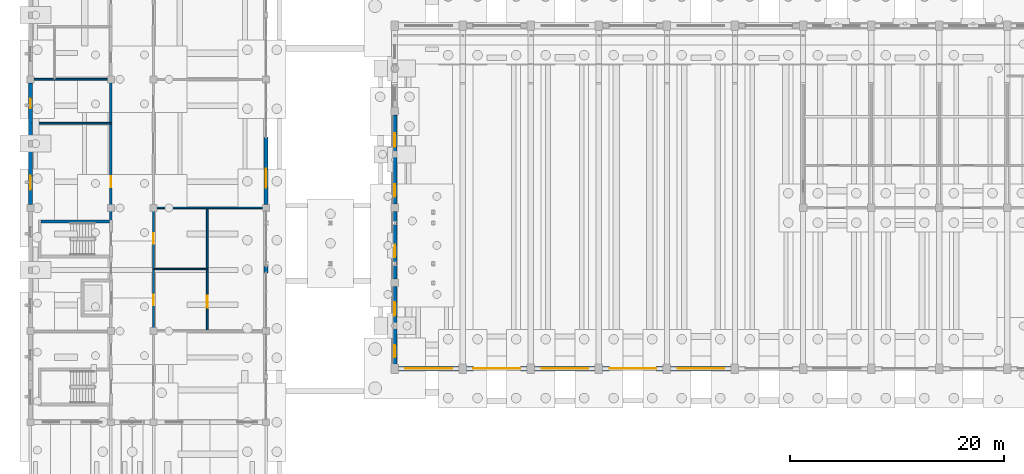
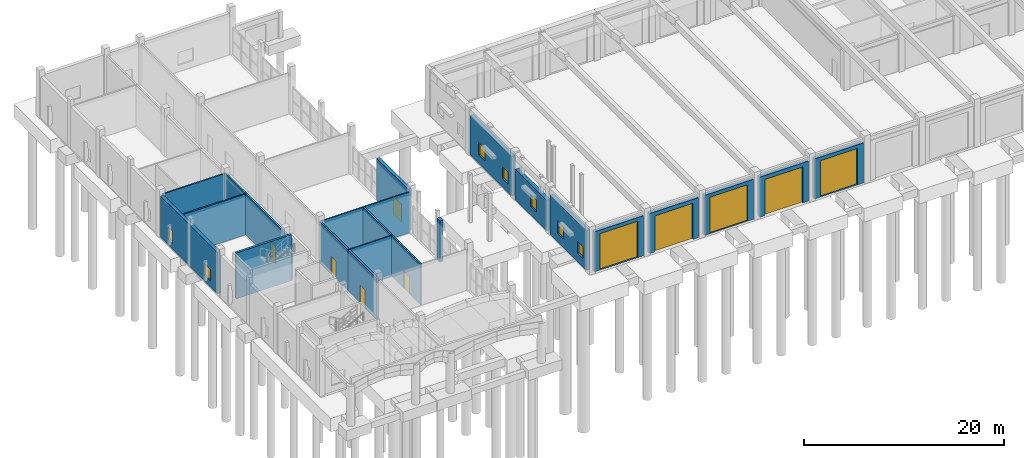
# One storey, part 35 of 60: 20 walls, 10 doors, 7 windows, 17 openings.
"""IFC4 building model written with IfcOpenShell, lengths in metres."""

import ifcopenshell
import ifcopenshell.guid

model = None  # the IFC model being written
_history = None  # IfcOwnerHistory: only IFC2X3 demands one
_inside = {}  # id of a spatial element -> (the spatial element, [elements in it])
_under = {}  # id of a project, library or spatial element -> (it, [spatial elements below it])
_declared = {}  # id of a project -> (the project, [libraries it declares])
_typed = {}  # id of a type object -> (the type object, [elements of that type])
_made_of = {}  # id of a material, layer set ... -> (it, [elements and type objects made of it])


def new_model(schema):
    """Start an empty IFC model of exactly this schema.

    Asked for "IFC4X3", IfcOpenShell would pick the latest addendum, in which some entities
    have other attributes; the version numbers below select the first issue.
    IFC2X3 requires an IfcOwnerHistory on every rooted entity: one is made here for all.
    """
    global model, _history
    if schema == "IFC4X3":
        model = ifcopenshell.file(schema_version=(4, 3, 0, 0))
    else:
        model = ifcopenshell.file(schema=schema)
    _inside.clear()
    _under.clear()
    _declared.clear()
    _typed.clear()
    _made_of.clear()
    _history = None
    if model.schema == "IFC2X3":
        org = make("IfcOrganization", Name="unknown")
        user = make(
            "IfcPersonAndOrganization",
            ThePerson=make("IfcPerson", FamilyName="unknown"),
            TheOrganization=org,
        )
        app = make(
            "IfcApplication",
            ApplicationDeveloper=org,
            Version="unknown",
            ApplicationFullName="unknown",
            ApplicationIdentifier="unknown",
        )
        _history = make(
            "IfcOwnerHistory",
            OwningUser=user,
            OwningApplication=app,
            ChangeAction="ADDED",
            CreationDate=0,
        )
    return model


def make(cls, **values):
    """One entity of the class cls with the attributes given. An attribute that is None is left unset."""
    return model.create_entity(
        cls, **{name: value for name, value in values.items() if value is not None}
    )


def rooted(cls, **values):
    """An entity with a GlobalId (a new one), such as an element, a storey or a relation."""
    return make(cls, GlobalId=ifcopenshell.guid.new(), OwnerHistory=_history, **values)


def si_unit(unit_type, name, prefix=None):
    """IfcSIUnit, for example si_unit("LENGTHUNIT", "METRE", prefix="MILLI")."""
    return make("IfcSIUnit", UnitType=unit_type, Prefix=prefix, Name=name)


def assignment(units):
    """IfcUnitAssignment: the units of a project."""
    return None if units is None else make("IfcUnitAssignment", Units=units)


def point(xyz):
    """IfcCartesianPoint."""
    return None if xyz is None else make("IfcCartesianPoint", Coordinates=xyz)


def direction(xyz):
    """IfcDirection."""
    return None if xyz is None else make("IfcDirection", DirectionRatios=xyz)


def frame(location, z_axis=None, x_axis=None):
    """IfcAxis2Placement3D, a coordinate frame: its origin and axes. An axis left out is left unset."""
    return make(
        "IfcAxis2Placement3D",
        Location=point(location),
        Axis=direction(z_axis),
        RefDirection=direction(x_axis),
    )


def frame_2d(location, x_axis=None):
    """IfcAxis2Placement2D, a coordinate frame in the plane: its origin and x axis."""
    return make(
        "IfcAxis2Placement2D", Location=point(location), RefDirection=direction(x_axis)
    )


def origin():
    """The frame at (0, 0, 0) with its axes left unset."""
    return frame((0.0, 0.0, 0.0))


def place(relative_to, where):
    """IfcLocalPlacement: puts the frame where relative to a parent placement (None: the world)."""
    return make(
        "IfcLocalPlacement", PlacementRelTo=relative_to, RelativePlacement=where
    )


def context(
    kind, dimensions, precision=None, world=None, true_north=None, identifier=None
):
    """IfcGeometricRepresentationContext, for example the 3D "Model" context."""
    return make(
        "IfcGeometricRepresentationContext",
        ContextIdentifier=identifier,
        ContextType=kind,
        CoordinateSpaceDimension=dimensions,
        Precision=precision,
        WorldCoordinateSystem=world,
        TrueNorth=true_north,
    )


def subcontext(parent, identifier, kind, view, scale=None):
    """IfcGeometricRepresentationSubContext, for example "Body" below "Model"."""
    return make(
        "IfcGeometricRepresentationSubContext",
        ContextIdentifier=identifier,
        ContextType=kind,
        ParentContext=parent,
        TargetScale=scale,
        TargetView=view,
    )


def project(units=None, contexts=None):
    """IfcProject with its units and contexts."""
    return rooted(
        "IfcProject",
        Name="project",
        RepresentationContexts=contexts,
        UnitsInContext=assignment(units),
    )


def spatial(cls, under=None, at=None, **own):
    """A site, building, storey or space (cls), placed at a placement, below another one or the project."""
    s = rooted(cls, ObjectPlacement=at, **own)
    if under is not None:
        _under.setdefault(under.id(), (under, []))[1].append(s)
    return s


def profile(cls, at=None, kind="AREA", **sizes):
    """A parametric profile (cls). Its sizes go by their IFC names, for example OverallWidth=200.0."""
    return make(cls, ProfileType=kind, Position=at, **sizes)


def rectangle(**sizes):
    """IfcRectangleProfileDef."""
    return profile("IfcRectangleProfileDef", **sizes)


def extrude(swept, where, along, depth):
    """IfcExtrudedAreaSolid: the profile swept, set in the frame where, extruded along a direction by depth."""
    return make(
        "IfcExtrudedAreaSolid",
        SweptArea=swept,
        Position=where,
        ExtrudedDirection=direction(along),
        Depth=depth,
    )


def shape(context_of_items, identifier, shape_type, items):
    """IfcShapeRepresentation: the items that make up one representation, for example the "Body"."""
    return make(
        "IfcShapeRepresentation",
        ContextOfItems=context_of_items,
        RepresentationIdentifier=identifier,
        RepresentationType=shape_type,
        Items=items,
    )


def material(Name=None, Category=None):
    """IfcMaterial."""
    return make("IfcMaterial", Name=Name, Category=Category)


def layer(
    of_material, thickness, ventilated=None, Name=None, Category=None, Priority=None
):
    """IfcMaterialLayer: one layer of a wall or slab, of a material (None: an air gap)."""
    return make(
        "IfcMaterialLayer",
        Material=of_material,
        LayerThickness=thickness,
        IsVentilated=ventilated,
        Name=Name,
        Category=Category,
        Priority=Priority,
    )


def layer_set(layers, Name=None):
    """IfcMaterialLayerSet."""
    return make("IfcMaterialLayerSet", MaterialLayers=layers, LayerSetName=Name)


def made_of(thing, what):
    """Note that an element or type object is made of a material, layer set ...; save() writes the relation."""
    if what is not None:
        _made_of.setdefault(what.id(), (what, []))[1].append(thing)
    return thing


def type_object(cls, material=None, **own):
    """A type object (cls), such as IfcWallType, which elements share."""
    return made_of(rooted(cls, **own), material)


def element(
    cls,
    number,
    at=None,
    inside=None,
    cuts=None,
    type_object=None,
    material=None,
    context=None,
    identifier="Body",
    shape_type=None,
    held_by="IfcProductDefinitionShape",
    body=None,
    shapes=None,
    **own,
):
    """One element of the class cls, such as IfcWall. Its Tag is "e" and its number.

    at: its placement. inside: the storey or other place that contains it. cuts: it is an
    opening in that element (IfcRelVoidsElement). A single representation is given by context,
    identifier, shape_type and body (its items); several are given by shapes. held_by: the class
    of the entity that holds the representations. save() writes the other relations.
    """
    e = rooted(cls, Tag="e%d" % number, ObjectPlacement=at, **own)
    if body is not None:
        shapes = [shape(context, identifier, shape_type, body)]
    if shapes is not None:
        e.Representation = make(held_by, Representations=shapes)
    if inside is not None:
        _inside.setdefault(inside.id(), (inside, []))[1].append(e)
    if cuts is not None:
        rooted(
            "IfcRelVoidsElement", RelatingBuildingElement=cuts, RelatedOpeningElement=e
        )
    if type_object is not None:
        _typed.setdefault(type_object.id(), (type_object, []))[1].append(e)
    return made_of(e, material)


def fill(opening, filler):
    """IfcRelFillsElement: the door or window that sits in an opening."""
    return rooted(
        "IfcRelFillsElement",
        RelatingOpeningElement=opening,
        RelatedBuildingElement=filler,
    )


def aggregate(whole, parts):
    """IfcRelAggregates: a whole, such as a stair, and the parts it consists of."""
    return rooted("IfcRelAggregates", RelatingObject=whole, RelatedObjects=parts)


def save(model, path):
    """Write the relations noted so far, then the file.

    IfcRelAggregates (storeys below a building ...), IfcRelContainedInSpatialStructure (elements
    in a storey), IfcRelDefinesByType, IfcRelAssociatesMaterial and IfcRelDeclares: one each for
    every whole, place, type object, material and project.
    """
    for whole, parts in _under.values():
        aggregate(whole, parts)
    for where, things in _inside.values():
        rooted(
            "IfcRelContainedInSpatialStructure",
            RelatedElements=things,
            RelatingStructure=where,
        )
    for kind, things in _typed.values():
        rooted("IfcRelDefinesByType", RelatedObjects=things, RelatingType=kind)
    for what, things in _made_of.values():
        rooted("IfcRelAssociatesMaterial", RelatedObjects=things, RelatingMaterial=what)
    for by, libraries in _declared.values():
        rooted("IfcRelDeclares", RelatingContext=by, RelatedDefinitions=libraries)
    model.write(path)


model = new_model("IFC4")

# Units and contexts
model_context = context("Model", 3, precision=1e-05, world=origin(), true_north=direction((0.0, 1.0)))
body_context = subcontext(model_context, "Body", "Model", "MODEL_VIEW")
ifc_project = project(units=[si_unit("LENGTHUNIT", "METRE"), si_unit("AREAUNIT", "SQUARE_METRE"), si_unit("VOLUMEUNIT", "CUBIC_METRE"), si_unit("PLANEANGLEUNIT", "RADIAN"), si_unit("MASSUNIT", "GRAM", prefix="KILO")], contexts=[model_context])

# Site, building, storey
site_placement = place(None, origin())
site = spatial("IfcSite", under=ifc_project, at=site_placement, CompositionType="ELEMENT")
building_placement = place(site_placement, origin())
building = spatial("IfcBuilding", under=site, at=building_placement, Name="Trellovar Central Fire Station", CompositionType="ELEMENT")
storey_placement = place(building_placement, origin())
storey = spatial("IfcBuildingStorey", under=building, at=storey_placement, Name="L01", CompositionType="ELEMENT", Elevation=0.0)

# Wall, opening, door
ifc_material_1 = material(Name="Catalan polychrome brickwork with insulated cavity", Category="masonry")
ifc_layer_1 = layer(ifc_material_1, 0.419921875)
ifc_layer_set_1 = layer_set([ifc_layer_1], Name="Catalan polychrome brickwork with insulated cavity")
wall_type_1 = type_object("IfcWallType", Name="EW-1", PredefinedType="STANDARD", material=ifc_layer_set_1)
wall_1_placement = place(storey_placement, frame((35.35009765625, 14.0, 0.0), z_axis=(0.0, 0.0, 1.0), x_axis=(1.0, 0.0, 0.0)))
wall_1 = element("IfcWall", 1, at=wall_1_placement, inside=storey, type_object=wall_type_1, Name="V1 south engine portal masonry bay 1", PredefinedType="STANDARD", context=body_context, shape_type="SweptSolid", body=[
    extrude(rectangle(XDim=5.64990234375, YDim=0.419921875, at=frame_2d((2.824951171875, 0.0))), origin(), (0.0, 0.0, 1.0), 4.8798828125),
])
opening_1_placement = place(wall_1_placement, frame((0.625, 0.0, 0.0)))
opening_1 = element("IfcOpeningElement", 2, at=opening_1_placement, cuts=wall_1, Name="Opening BD-1", PredefinedType="OPENING", context=body_context, shape_type="SweptSolid", body=[
    extrude(rectangle(XDim=4.39990234375, YDim=4.449951171875, at=frame_2d((2.199951171875, 2.22509765625))), frame((0.0, 0.219970703125, 0.0), z_axis=(0.0, -1.0, 0.0), x_axis=(1.0, 0.0, 0.0)), (0.0, 0.0, 1.0), 0.43994140625),
])
ifc_material_2 = material(Name="Glazed terracotta-orange insulated steel roller shutter", Category="masonry")
door_type_1 = type_object("IfcDoorType", Name="DR-BAY1", OperationType="ROLLINGUP", PredefinedType="DOOR", material=ifc_material_2)
door_1_placement = place(opening_1_placement, origin())
door_1 = element("IfcDoor", 3, at=door_1_placement, inside=storey, type_object=door_type_1, Name="South boulevard apparatus bay 1 door", OperationType="ROLLINGUP", OverallHeight=4.449951171875, OverallWidth=4.39990234375, PredefinedType="DOOR", context=body_context, shape_type="SweptSolid", body=[
    extrude(rectangle(XDim=4.39990234375, YDim=4.449951171875, at=frame_2d((2.199951171875, 2.22509765625))), frame((0.0, 0.02490234375, 0.0), z_axis=(0.0, -1.0, 0.0), x_axis=(1.0, 0.0, 0.0)), (0.0, 0.0, 1.0), 0.050048828125),
])
fill(opening_1, door_1)

wall_2_placement = place(storey_placement, frame((41.699951171875, 14.0, 0.0), z_axis=(0.0, 0.0, 1.0), x_axis=(1.0, 0.0, 0.0)))
wall_2 = element("IfcWall", 4, at=wall_2_placement, inside=storey, type_object=wall_type_1, Name="V1 south engine portal masonry bay 2", PredefinedType="STANDARD", context=body_context, shape_type="SweptSolid", body=[
    extrude(rectangle(XDim=5.650146484375, YDim=0.419921875, at=frame_2d((2.8251953125, 0.0))), origin(), (0.0, 0.0, 1.0), 4.8798828125),
])
opening_2_placement = place(wall_2_placement, frame((0.625, 0.0, 0.0)))
opening_2 = element("IfcOpeningElement", 5, at=opening_2_placement, cuts=wall_2, Name="Opening BD-2", PredefinedType="OPENING", context=body_context, shape_type="SweptSolid", body=[
    extrude(rectangle(XDim=4.39990234375, YDim=4.39990234375, at=frame_2d((2.199951171875, 2.199951171875))), frame((0.0, 0.219970703125, 0.0), z_axis=(0.0, -1.0, 0.0), x_axis=(1.0, 0.0, 0.0)), (0.0, 0.0, 1.0), 0.43994140625),
])
ifc_material_3 = material(Name="Glazed terracotta-orange insulated steel roller shutter", Category="masonry")
door_type_2 = type_object("IfcDoorType", Name="DR-BAY2", OperationType="ROLLINGUP", PredefinedType="DOOR", material=ifc_material_3)
door_2_placement = place(opening_2_placement, origin())
door_2 = element("IfcDoor", 6, at=door_2_placement, inside=storey, type_object=door_type_2, Name="South boulevard apparatus bay 2 door", OperationType="ROLLINGUP", OverallHeight=4.39990234375, OverallWidth=4.39990234375, PredefinedType="DOOR", context=body_context, shape_type="SweptSolid", body=[
    extrude(rectangle(XDim=4.39990234375, YDim=4.39990234375, at=frame_2d((2.199951171875, 2.199951171875))), frame((0.0, 0.02490234375, 0.0), z_axis=(0.0, -1.0, 0.0), x_axis=(1.0, 0.0, 0.0)), (0.0, 0.0, 1.0), 0.050048828125),
])
fill(opening_2, door_2)

wall_3_placement = place(storey_placement, frame((48.050048828125, 14.0, 0.0), z_axis=(0.0, 0.0, 1.0), x_axis=(1.0, 0.0, 0.0)))
wall_3 = element("IfcWall", 7, at=wall_3_placement, inside=storey, type_object=wall_type_1, Name="V1 south engine portal masonry bay 3", PredefinedType="STANDARD", context=body_context, shape_type="SweptSolid", body=[
    extrude(rectangle(XDim=5.64990234375, YDim=0.419921875, at=frame_2d((2.824951171875, 0.0))), origin(), (0.0, 0.0, 1.0), 4.8798828125),
])
opening_3_placement = place(wall_3_placement, frame((0.64990234375, 0.0, 0.0)))
opening_3 = element("IfcOpeningElement", 8, at=opening_3_placement, cuts=wall_3, Name="Opening BD-3", PredefinedType="OPENING", context=body_context, shape_type="SweptSolid", body=[
    extrude(rectangle(XDim=4.35009765625, YDim=4.449951171875, at=frame_2d((2.175048828125, 2.22509765625))), frame((0.0, 0.219970703125, 0.0), z_axis=(0.0, -1.0, 0.0), x_axis=(1.0, 0.0, 0.0)), (0.0, 0.0, 1.0), 0.43994140625),
])
ifc_material_4 = material(Name="Glazed terracotta-orange insulated steel roller shutter", Category="masonry")
door_type_3 = type_object("IfcDoorType", Name="DR-BAY3", OperationType="ROLLINGUP", PredefinedType="DOOR", material=ifc_material_4)
door_3_placement = place(opening_3_placement, origin())
door_3 = element("IfcDoor", 9, at=door_3_placement, inside=storey, type_object=door_type_3, Name="South boulevard apparatus bay 3 door", OperationType="ROLLINGUP", OverallHeight=4.449951171875, OverallWidth=4.35009765625, PredefinedType="DOOR", context=body_context, shape_type="SweptSolid", body=[
    extrude(rectangle(XDim=4.35009765625, YDim=4.449951171875, at=frame_2d((2.175048828125, 2.22509765625))), frame((0.0, 0.02490234375, 0.0), z_axis=(0.0, -1.0, 0.0), x_axis=(1.0, 0.0, 0.0)), (0.0, 0.0, 1.0), 0.050048828125),
])
fill(opening_3, door_3)

wall_4_placement = place(storey_placement, frame((54.39990234375, 14.0, 0.0), z_axis=(0.0, 0.0, 1.0), x_axis=(1.0, 0.0, 0.0)))
wall_4 = element("IfcWall", 10, at=wall_4_placement, inside=storey, type_object=wall_type_1, Name="V1 south engine portal masonry bay 4", PredefinedType="STANDARD", context=body_context, shape_type="SweptSolid", body=[
    extrude(rectangle(XDim=5.650146484375, YDim=0.419921875, at=frame_2d((2.8251953125, 0.0))), origin(), (0.0, 0.0, 1.0), 4.8798828125),
])
opening_4_placement = place(wall_4_placement, frame((0.64990234375, 0.0, 0.0)))
opening_4 = element("IfcOpeningElement", 11, at=opening_4_placement, cuts=wall_4, Name="Opening BD-4", PredefinedType="OPENING", context=body_context, shape_type="SweptSolid", body=[
    extrude(rectangle(XDim=4.35009765625, YDim=4.39990234375, at=frame_2d((2.175048828125, 2.199951171875))), frame((0.0, 0.219970703125, 0.0), z_axis=(0.0, -1.0, 0.0), x_axis=(1.0, 0.0, 0.0)), (0.0, 0.0, 1.0), 0.43994140625),
])
ifc_material_5 = material(Name="Glazed terracotta-orange insulated steel roller shutter", Category="masonry")
door_type_4 = type_object("IfcDoorType", Name="DR-BAY4", OperationType="ROLLINGUP", PredefinedType="DOOR", material=ifc_material_5)
door_4_placement = place(opening_4_placement, origin())
door_4 = element("IfcDoor", 12, at=door_4_placement, inside=storey, type_object=door_type_4, Name="South boulevard apparatus bay 4 door", OperationType="ROLLINGUP", OverallHeight=4.39990234375, OverallWidth=4.35009765625, PredefinedType="DOOR", context=body_context, shape_type="SweptSolid", body=[
    extrude(rectangle(XDim=4.35009765625, YDim=4.39990234375, at=frame_2d((2.175048828125, 2.199951171875))), frame((0.0, 0.02490234375, 0.0), z_axis=(0.0, -1.0, 0.0), x_axis=(1.0, 0.0, 0.0)), (0.0, 0.0, 1.0), 0.050048828125),
])
fill(opening_4, door_4)

wall_5_placement = place(storey_placement, frame((60.75, 14.0, 0.0), z_axis=(0.0, 0.0, 1.0), x_axis=(1.0, 0.0, 0.0)))
wall_5 = element("IfcWall", 13, at=wall_5_placement, inside=storey, type_object=wall_type_1, Name="V1 south engine portal masonry bay 5", PredefinedType="STANDARD", context=body_context, shape_type="SweptSolid", body=[
    extrude(rectangle(XDim=5.64990234375, YDim=0.419921875, at=frame_2d((2.824951171875, 0.0))), origin(), (0.0, 0.0, 1.0), 4.8798828125),
])
opening_5_placement = place(wall_5_placement, frame((0.675048828125, 0.0, 0.0)))
opening_5 = element("IfcOpeningElement", 14, at=opening_5_placement, cuts=wall_5, Name="Opening BD-5", PredefinedType="OPENING", context=body_context, shape_type="SweptSolid", body=[
    extrude(rectangle(XDim=4.300048828125, YDim=4.449951171875, at=frame_2d((2.14990234375, 2.22509765625))), frame((0.0, 0.219970703125, 0.0), z_axis=(0.0, -1.0, 0.0), x_axis=(1.0, 0.0, 0.0)), (0.0, 0.0, 1.0), 0.43994140625),
])
ifc_material_6 = material(Name="Glazed terracotta-orange insulated steel roller shutter", Category="masonry")
door_type_5 = type_object("IfcDoorType", Name="DR-BAY5", OperationType="ROLLINGUP", PredefinedType="DOOR", material=ifc_material_6)
door_5_placement = place(opening_5_placement, origin())
door_5 = element("IfcDoor", 15, at=door_5_placement, inside=storey, type_object=door_type_5, Name="South boulevard apparatus bay 5 door", OperationType="ROLLINGUP", OverallHeight=4.449951171875, OverallWidth=4.300048828125, PredefinedType="DOOR", context=body_context, shape_type="SweptSolid", body=[
    extrude(rectangle(XDim=4.300048828125, YDim=4.449951171875, at=frame_2d((2.14990234375, 2.22509765625))), frame((0.0, 0.02490234375, 0.0), z_axis=(0.0, -1.0, 0.0), x_axis=(1.0, 0.0, 0.0)), (0.0, 0.0, 1.0), 0.050048828125),
])
fill(opening_5, door_5)

# Wall, openings, windows
wall_6_placement = place(storey_placement, frame((35.0, 14.39990234375, 0.0), z_axis=(0.0, 0.0, 1.0), x_axis=(0.0, 1.0, 0.0)))
wall_6 = element("IfcWall", 16, at=wall_6_placement, inside=storey, type_object=wall_type_1, Name="V1 W gable lower wall 1", PredefinedType="STANDARD", context=body_context, shape_type="SweptSolid", body=[
    extrude(rectangle(XDim=7.25, YDim=0.419921875, at=frame_2d((3.625, 0.0))), origin(), (0.0, 0.0, 1.0), 4.840087890625),
])
opening_6_placement = place(wall_6_placement, frame((0.64990234375, 0.0, 1.050048828125)))
opening_6 = element("IfcOpeningElement", 17, at=opening_6_placement, cuts=wall_6, Name="Opening W-01", PredefinedType="OPENING", context=body_context, shape_type="SweptSolid", body=[
    extrude(rectangle(XDim=1.14990234375, YDim=1.449951171875, at=frame_2d((0.574951171875, 0.72509765625))), frame((0.0, 0.219970703125, 0.0), z_axis=(0.0, -1.0, 0.0), x_axis=(1.0, 0.0, 0.0)), (0.0, 0.0, 1.0), 0.43994140625),
])
opening_7_placement = place(wall_6_placement, frame((4.550048828125, 0.0, 1.050048828125)))
opening_7 = element("IfcOpeningElement", 18, at=opening_7_placement, cuts=wall_6, Name="Opening W-14", PredefinedType="OPENING", context=body_context, shape_type="SweptSolid", body=[
    extrude(rectangle(XDim=1.25, YDim=1.5, at=frame_2d((0.625, 0.75))), frame((0.0, 0.219970703125, 0.0), z_axis=(0.0, -1.0, 0.0), x_axis=(1.0, 0.0, 0.0)), (0.0, 0.0, 1.0), 0.43994140625),
])
ifc_material_7 = material(Name="Thermally broken bronze anodized aluminum", Category="aluminium")
window_type_1 = type_object("IfcWindowType", Name="WIN-01", PartitioningType="SINGLE_PANEL", PredefinedType="WINDOW", material=ifc_material_7)
window_1_placement = place(opening_6_placement, origin())
window_1 = element("IfcWindow", 19, at=window_1_placement, inside=storey, type_object=window_type_1, Name="L01 window W-01", OverallHeight=1.449951171875, OverallWidth=1.14990234375, PartitioningType="SINGLE_PANEL", PredefinedType="WINDOW", context=body_context, shape_type="SweptSolid", body=[
    extrude(rectangle(XDim=1.14990234375, YDim=1.449951171875, at=frame_2d((0.574951171875, 0.72509765625))), frame((0.0, 0.030029296875, 0.0), z_axis=(0.0, -1.0, 0.0), x_axis=(1.0, 0.0, 0.0)), (0.0, 0.0, 1.0), 0.06005859375),
])
fill(opening_6, window_1)
ifc_material_8 = material(Name="Thermally broken bronze anodized aluminum", Category="aluminium")
window_type_2 = type_object("IfcWindowType", Name="WIN-14", PartitioningType="SINGLE_PANEL", PredefinedType="WINDOW", material=ifc_material_8)
window_2_placement = place(opening_7_placement, origin())
window_2 = element("IfcWindow", 20, at=window_2_placement, inside=storey, type_object=window_type_2, Name="L01 window W-14", OverallHeight=1.5, OverallWidth=1.25, PartitioningType="SINGLE_PANEL", PredefinedType="WINDOW", context=body_context, shape_type="SweptSolid", body=[
    extrude(rectangle(XDim=1.25, YDim=1.5, at=frame_2d((0.625, 0.75))), frame((0.0, 0.030029296875, 0.0), z_axis=(0.0, -1.0, 0.0), x_axis=(1.0, 0.0, 0.0)), (0.0, 0.0, 1.0), 0.06005859375),
])
fill(opening_7, window_2)

# Wall, opening, window
wall_7_placement = place(storey_placement, frame((35.0, 22.35009765625, 0.0), z_axis=(0.0, 0.0, 1.0), x_axis=(0.0, 1.0, 0.0)))
wall_7 = element("IfcWall", 21, at=wall_7_placement, inside=storey, type_object=wall_type_1, Name="V1 W gable lower wall 2", PredefinedType="STANDARD", context=body_context, shape_type="SweptSolid", body=[
    extrude(rectangle(XDim=6.2998046875, YDim=0.419921875, at=frame_2d((3.14990234375, 0.0))), origin(), (0.0, 0.0, 1.0), 3.739990234375),
])
opening_8_placement = place(wall_7_placement, frame((2.050048828125, 0.0, 1.050048828125)))
opening_8 = element("IfcOpeningElement", 22, at=opening_8_placement, cuts=wall_7, Name="Opening W-01", PredefinedType="OPENING", context=body_context, shape_type="SweptSolid", body=[
    extrude(rectangle(XDim=1.14990234375, YDim=1.449951171875, at=frame_2d((0.574951171875, 0.72509765625))), frame((0.0, 0.219970703125, 0.0), z_axis=(0.0, -1.0, 0.0), x_axis=(1.0, 0.0, 0.0)), (0.0, 0.0, 1.0), 0.43994140625),
])
window_3_placement = place(opening_8_placement, origin())
window_3 = element("IfcWindow", 23, at=window_3_placement, inside=storey, type_object=window_type_1, Name="L01 window W-01", OverallHeight=1.449951171875, OverallWidth=1.14990234375, PartitioningType="SINGLE_PANEL", PredefinedType="WINDOW", context=body_context, shape_type="SweptSolid", body=[
    extrude(rectangle(XDim=1.14990234375, YDim=1.449951171875, at=frame_2d((0.574951171875, 0.72509765625))), frame((0.0, 0.030029296875, 0.0), z_axis=(0.0, -1.0, 0.0), x_axis=(1.0, 0.0, 0.0)), (0.0, 0.0, 1.0), 0.06005859375),
])
fill(opening_8, window_3)

# Wall, openings, windows
wall_8_placement = place(storey_placement, frame((35.0, 29.35009765625, 0.0), z_axis=(0.0, 0.0, 1.0), x_axis=(0.0, 1.0, 0.0)))
wall_8 = element("IfcWall", 24, at=wall_8_placement, inside=storey, type_object=wall_type_1, Name="V1 W gable lower wall 3", PredefinedType="STANDARD", context=body_context, shape_type="SweptSolid", body=[
    extrude(rectangle(XDim=8.2998046875, YDim=0.419921875, at=frame_2d((4.14990234375, 0.0))), origin(), (0.0, 0.0, 1.0), 4.840087890625),
])
opening_9_placement = place(wall_8_placement, frame((0.699951171875, 0.0, 1.050048828125)))
opening_9 = element("IfcOpeningElement", 25, at=opening_9_placement, cuts=wall_8, Name="Opening W-01", PredefinedType="OPENING", context=body_context, shape_type="SweptSolid", body=[
    extrude(rectangle(XDim=1.14990234375, YDim=1.449951171875, at=frame_2d((0.574951171875, 0.72509765625))), frame((0.0, 0.219970703125, 0.0), z_axis=(0.0, -1.0, 0.0), x_axis=(1.0, 0.0, 0.0)), (0.0, 0.0, 1.0), 0.43994140625),
])
opening_10_placement = place(wall_8_placement, frame((5.35009765625, 0.0, 1.050048828125)))
opening_10 = element("IfcOpeningElement", 26, at=opening_10_placement, cuts=wall_8, Name="Opening W-14", PredefinedType="OPENING", context=body_context, shape_type="SweptSolid", body=[
    extrude(rectangle(XDim=1.25, YDim=1.5, at=frame_2d((0.625, 0.75))), frame((0.0, 0.219970703125, 0.0), z_axis=(0.0, -1.0, 0.0), x_axis=(1.0, 0.0, 0.0)), (0.0, 0.0, 1.0), 0.43994140625),
])
window_4_placement = place(opening_9_placement, origin())
window_4 = element("IfcWindow", 27, at=window_4_placement, inside=storey, type_object=window_type_1, Name="L01 window W-01", OverallHeight=1.449951171875, OverallWidth=1.14990234375, PartitioningType="SINGLE_PANEL", PredefinedType="WINDOW", context=body_context, shape_type="SweptSolid", body=[
    extrude(rectangle(XDim=1.14990234375, YDim=1.449951171875, at=frame_2d((0.574951171875, 0.72509765625))), frame((0.0, 0.030029296875, 0.0), z_axis=(0.0, -1.0, 0.0), x_axis=(1.0, 0.0, 0.0)), (0.0, 0.0, 1.0), 0.06005859375),
])
fill(opening_9, window_4)
window_5_placement = place(opening_10_placement, origin())
window_5 = element("IfcWindow", 28, at=window_5_placement, inside=storey, type_object=window_type_2, Name="L01 window W-14", OverallHeight=1.5, OverallWidth=1.25, PartitioningType="SINGLE_PANEL", PredefinedType="WINDOW", context=body_context, shape_type="SweptSolid", body=[
    extrude(rectangle(XDim=1.25, YDim=1.5, at=frame_2d((0.625, 0.75))), frame((0.0, 0.030029296875, 0.0), z_axis=(0.0, -1.0, 0.0), x_axis=(1.0, 0.0, 0.0)), (0.0, 0.0, 1.0), 0.06005859375),
])
fill(opening_10, window_5)

ifc_material_9 = material(Name="Catalan polychrome brickwork with insulated cavity", Category="masonry")
ifc_layer_2 = layer(ifc_material_9, 0.3798828125)
ifc_layer_set_2 = layer_set([ifc_layer_2], Name="Catalan polychrome brickwork with insulated cavity")
wall_type_2 = type_object("IfcWallType", Name="EW-2", PredefinedType="STANDARD", material=ifc_layer_set_2)
wall_9_placement = place(storey_placement, frame((1.0, 40.675048828125, 0.0), z_axis=(0.0, 0.0, 1.0), x_axis=(0.0, -1.0, 0.0)))
wall_9 = element("IfcWall", 29, at=wall_9_placement, inside=storey, type_object=wall_type_2, Name="V4 L01 west wall", PredefinedType="STANDARD", context=body_context, shape_type="SweptSolid", body=[
    extrude(rectangle(XDim=11.35009765625, YDim=0.3798828125, at=frame_2d((5.675048828125, 0.0))), origin(), (0.0, 0.0, 1.0), 5.050048828125),
])
opening_11_placement = place(wall_9_placement, frame((1.47509765625, 0.0, 0.699951171875)))
opening_11 = element("IfcOpeningElement", 30, at=opening_11_placement, cuts=wall_9, Name="Opening W-07", PredefinedType="OPENING", context=body_context, shape_type="SweptSolid", body=[
    extrude(rectangle(XDim=0.8798828125, YDim=1.5, at=frame_2d((0.43994140625, 0.75))), frame((0.0, 0.199951171875, 0.0), z_axis=(0.0, -1.0, 0.0), x_axis=(1.0, 0.0, 0.0)), (0.0, 0.0, 1.0), 0.39990234375),
])
opening_12_placement = place(wall_9_placement, frame((8.675048828125, 0.0, 0.699951171875)))
opening_12 = element("IfcOpeningElement", 31, at=opening_12_placement, cuts=wall_9, Name="Opening W-09", PredefinedType="OPENING", context=body_context, shape_type="SweptSolid", body=[
    extrude(rectangle(XDim=1.300048828125, YDim=1.39990234375, at=frame_2d((0.64990234375, 0.699951171875))), frame((0.0, 0.199951171875, 0.0), z_axis=(0.0, -1.0, 0.0), x_axis=(1.0, 0.0, 0.0)), (0.0, 0.0, 1.0), 0.39990234375),
])
ifc_material_10 = material(Name="Thermally broken bronze anodized aluminum", Category="aluminium")
window_type_3 = type_object("IfcWindowType", Name="WIN-07", PartitioningType="SINGLE_PANEL", PredefinedType="WINDOW", material=ifc_material_10)
window_6_placement = place(opening_11_placement, origin())
window_6 = element("IfcWindow", 32, at=window_6_placement, inside=storey, type_object=window_type_3, Name="L01 window W-07", OverallHeight=1.5, OverallWidth=0.8798828125, PartitioningType="SINGLE_PANEL", PredefinedType="WINDOW", context=body_context, shape_type="SweptSolid", body=[
    extrude(rectangle(XDim=0.8798828125, YDim=1.5, at=frame_2d((0.43994140625, 0.75))), frame((0.0, 0.030029296875, 0.0), z_axis=(0.0, -1.0, 0.0), x_axis=(1.0, 0.0, 0.0)), (0.0, 0.0, 1.0), 0.06005859375),
])
fill(opening_11, window_6)
ifc_material_11 = material(Name="Thermally broken bronze anodized aluminum", Category="aluminium")
window_type_4 = type_object("IfcWindowType", Name="WIN-09", PartitioningType="SINGLE_PANEL", PredefinedType="WINDOW", material=ifc_material_11)
window_7_placement = place(opening_12_placement, origin())
window_7 = element("IfcWindow", 33, at=window_7_placement, inside=storey, type_object=window_type_4, Name="L01 window W-09", OverallHeight=1.39990234375, OverallWidth=1.300048828125, PartitioningType="SINGLE_PANEL", PredefinedType="WINDOW", context=body_context, shape_type="SweptSolid", body=[
    extrude(rectangle(XDim=1.300048828125, YDim=1.39990234375, at=frame_2d((0.64990234375, 0.699951171875))), frame((0.0, 0.030029296875, 0.0), z_axis=(0.0, -1.0, 0.0), x_axis=(1.0, 0.0, 0.0)), (0.0, 0.0, 1.0), 0.06005859375),
])
fill(opening_12, window_7)

# Wall
wall_10_placement = place(storey_placement, frame((23.0, 22.949951171875, 0.0), z_axis=(0.0, 0.0, 1.0), x_axis=(0.0, 1.0, 0.0)))
element("IfcWall", 34, at=wall_10_placement, inside=storey, type_object=wall_type_2, Name="V4 L01 courtyard mullion pier", PredefinedType="STANDARD", context=body_context, shape_type="SweptSolid", body=[
    extrude(rectangle(XDim=0.60009765625, YDim=0.3798828125, at=frame_2d((0.300048828125, 0.0))), origin(), (0.0, 0.0, 1.0), 5.050048828125),
])

# Wall, opening, door
wall_11_placement = place(storey_placement, frame((23.0, 29.324951171875, 0.0), z_axis=(0.0, 0.0, 1.0), x_axis=(0.0, 1.0, 0.0)))
wall_11 = element("IfcWall", 35, at=wall_11_placement, inside=storey, type_object=wall_type_2, Name="V4 L01 turnout court door wall", PredefinedType="STANDARD", context=body_context, shape_type="SweptSolid", body=[
    extrude(rectangle(XDim=6.275146484375, YDim=0.3798828125, at=frame_2d((3.1376953125, 0.0))), origin(), (0.0, 0.0, 1.0), 5.050048828125),
])
opening_13_placement = place(wall_11_placement, frame((1.574951171875, 0.0, 0.0)))
opening_13 = element("IfcOpeningElement", 36, at=opening_13_placement, cuts=wall_11, Name="Opening EX-2", PredefinedType="OPENING", context=body_context, shape_type="SweptSolid", body=[
    extrude(rectangle(XDim=1.75, YDim=2.199951171875, at=frame_2d((0.875, 1.10009765625))), frame((0.0, 0.199951171875, 0.0), z_axis=(0.0, -1.0, 0.0), x_axis=(1.0, 0.0, 0.0)), (0.0, 0.0, 1.0), 0.39990234375),
])
ifc_material_12 = material(Name="Hollow galvanized steel with acoustic core", Category="steel")
door_type_6 = type_object("IfcDoorType", Name="DR-EXT2", OperationType="DOUBLE_DOOR_SINGLE_SWING", PredefinedType="DOOR", material=ifc_material_12)
door_6_placement = place(opening_13_placement, frame((1.75, 0.0, 0.0), z_axis=(0.0, 0.0, 1.0), x_axis=(-1.0, 0.0, 0.0)))
door_6 = element("IfcDoor", 37, at=door_6_placement, inside=storey, type_object=door_type_6, Name="Turnout locker court door", OperationType="DOUBLE_DOOR_SINGLE_SWING", OverallHeight=2.199951171875, OverallWidth=1.75, PredefinedType="DOOR", context=body_context, shape_type="SweptSolid", body=[
    extrude(rectangle(XDim=1.75, YDim=2.199951171875, at=frame_2d((0.875, 1.10009765625))), frame((0.0, 0.02490234375, 0.0), z_axis=(0.0, -1.0, 0.0), x_axis=(1.0, 0.0, 0.0)), (0.0, 0.0, 1.0), 0.050048828125),
])
fill(opening_13, door_6)

ifc_material_13 = material(Name="Acoustic concrete masonry unit", Category="masonry")
ifc_layer_3 = layer(ifc_material_13, 0.199951171875)
ifc_layer_set_3 = layer_set([ifc_layer_3], Name="Acoustic concrete masonry unit")
wall_type_3 = type_object("IfcWallType", Name="PT-1", PredefinedType="PARTITIONING", material=ifc_layer_set_3)
wall_12_placement = place(storey_placement, frame((8.5, 27.739990234375, 0.0), z_axis=(0.0, 0.0, 1.0), x_axis=(0.0, 1.0, 0.0)))
wall_12 = element("IfcWall", 38, at=wall_12_placement, inside=storey, type_object=wall_type_3, Name="V4 L01 west corridor spine 4", PredefinedType="PARTITIONING", context=body_context, shape_type="SweptSolid", body=[
    extrude(rectangle(XDim=13.260009765625, YDim=0.199951171875, at=frame_2d((6.6298828125, 0.0))), origin(), (0.0, 0.0, 1.0), 5.0),
])
opening_14_placement = place(wall_12_placement, frame((3.199951171875, 0.0, 0.0)))
opening_14 = element("IfcOpeningElement", 39, at=opening_14_placement, cuts=wall_12, Name="Opening ID-8", PredefinedType="OPENING", context=body_context, shape_type="SweptSolid", body=[
    extrude(rectangle(XDim=1.02001953125, YDim=2.139892578125, at=frame_2d((0.510009765625, 1.06982421875))), frame((0.0, 0.10986328125, 0.0), z_axis=(0.0, -1.0, 0.0), x_axis=(1.0, 0.0, 0.0)), (0.0, 0.0, 1.0), 0.219970703125),
])
ifc_material_14 = material(Name="Solid core acoustic white oak veneer", Category="wood")
door_type_7 = type_object("IfcDoorType", Name="DR-INT8", OperationType="SINGLE_SWING_LEFT", PredefinedType="DOOR", material=ifc_material_14)
door_7_placement = place(opening_14_placement, origin())
door_7 = element("IfcDoor", 40, at=door_7_placement, inside=storey, type_object=door_type_7, Name="V4 L01 NW room door", OperationType="SINGLE_SWING_RIGHT", OverallHeight=2.139892578125, OverallWidth=1.02001953125, PredefinedType="DOOR", context=body_context, shape_type="SweptSolid", body=[
    extrude(rectangle(XDim=1.02001953125, YDim=2.139892578125, at=frame_2d((0.510009765625, 1.06982421875))), frame((0.0, 0.02490234375, 0.0), z_axis=(0.0, -1.0, 0.0), x_axis=(1.0, 0.0, 0.0)), (0.0, 0.0, 1.0), 0.050048828125),
])
fill(opening_14, door_7)

wall_13_placement = place(storey_placement, frame((12.5, 17.5, 0.0), z_axis=(0.0, 0.0, 1.0), x_axis=(0.0, 1.0, 0.0)))
wall_13 = element("IfcWall", 41, at=wall_13_placement, inside=storey, type_object=wall_type_3, Name="V4 L01 east corridor spine", PredefinedType="PARTITIONING", context=body_context, shape_type="SweptSolid", body=[
    extrude(rectangle(XDim=5.800048828125, YDim=0.199951171875, at=frame_2d((2.89990234375, 0.0))), origin(), (0.0, 0.0, 1.0), 5.0),
])
opening_15_placement = place(wall_13_placement, frame((2.39990234375, 0.0, 0.0)))
opening_15 = element("IfcOpeningElement", 42, at=opening_15_placement, cuts=wall_13, Name="Opening ID-1", PredefinedType="OPENING", context=body_context, shape_type="SweptSolid", body=[
    extrude(rectangle(XDim=1.0, YDim=2.1201171875, at=frame_2d((0.5, 1.06005859375))), frame((0.0, 0.10986328125, 0.0), z_axis=(0.0, -1.0, 0.0), x_axis=(1.0, 0.0, 0.0)), (0.0, 0.0, 1.0), 0.219970703125),
])
ifc_material_15 = material(Name="Solid core acoustic white oak veneer", Category="wood")
door_type_8 = type_object("IfcDoorType", Name="DR-INT1", OperationType="SINGLE_SWING_LEFT", PredefinedType="DOOR", material=ifc_material_15)
door_8_placement = place(opening_15_placement, origin())
door_8 = element("IfcDoor", 43, at=door_8_placement, inside=storey, type_object=door_type_8, Name="V4 L01 east room door", OperationType="SINGLE_SWING_RIGHT", OverallHeight=2.1201171875, OverallWidth=1.0, PredefinedType="DOOR", context=body_context, shape_type="SweptSolid", body=[
    extrude(rectangle(XDim=1.0, YDim=2.1201171875, at=frame_2d((0.5, 1.06005859375))), frame((0.0, 0.02490234375, 0.0), z_axis=(0.0, -1.0, 0.0), x_axis=(1.0, 0.0, 0.0)), (0.0, 0.0, 1.0), 0.050048828125),
])
fill(opening_15, door_8)

wall_14_placement = place(storey_placement, frame((12.5, 23.300048828125, 0.0), z_axis=(0.0, 0.0, 1.0), x_axis=(0.0, 1.0, 0.0)))
wall_14 = element("IfcWall", 44, at=wall_14_placement, inside=storey, type_object=wall_type_3, Name="V4 L01 east corridor spine", PredefinedType="PARTITIONING", context=body_context, shape_type="SweptSolid", body=[
    extrude(rectangle(XDim=5.699951171875, YDim=0.199951171875, at=frame_2d((2.85009765625, 0.0))), origin(), (0.0, 0.0, 1.0), 5.0),
])
opening_16_placement = place(wall_14_placement, frame((2.360107421875, 0.0, 0.0)))
opening_16 = element("IfcOpeningElement", 45, at=opening_16_placement, cuts=wall_14, Name="Opening ID-7", PredefinedType="OPENING", context=body_context, shape_type="SweptSolid", body=[
    extrude(rectangle(XDim=0.97998046875, YDim=2.1201171875, at=frame_2d((0.489990234375, 1.06005859375))), frame((0.0, 0.10986328125, 0.0), z_axis=(0.0, -1.0, 0.0), x_axis=(1.0, 0.0, 0.0)), (0.0, 0.0, 1.0), 0.219970703125),
])
ifc_material_16 = material(Name="Solid core acoustic white oak veneer", Category="wood")
door_type_9 = type_object("IfcDoorType", Name="DR-INT7", OperationType="SINGLE_SWING_LEFT", PredefinedType="DOOR", material=ifc_material_16)
door_9_placement = place(opening_16_placement, origin())
door_9 = element("IfcDoor", 46, at=door_9_placement, inside=storey, type_object=door_type_9, Name="V4 L01 east room door", OperationType="SINGLE_SWING_LEFT", OverallHeight=2.1201171875, OverallWidth=0.97998046875, PredefinedType="DOOR", context=body_context, shape_type="SweptSolid", body=[
    extrude(rectangle(XDim=0.97998046875, YDim=2.1201171875, at=frame_2d((0.489990234375, 1.06005859375))), frame((0.0, 0.02490234375, 0.0), z_axis=(0.0, -1.0, 0.0), x_axis=(1.0, 0.0, 0.0)), (0.0, 0.0, 1.0), 0.050048828125),
])
fill(opening_16, door_9)

# Walls
ifc_material_17 = material(Name="Acoustic concrete masonry unit", Category="masonry")
ifc_layer_4 = layer(ifc_material_17, 0.159912109375)
ifc_layer_set_4 = layer_set([ifc_layer_4], Name="Acoustic concrete masonry unit")
wall_type_4 = type_object("IfcWallType", Name="PT-2", PredefinedType="PARTITIONING", material=ifc_layer_set_4)
for number, where, z_axis, x_axis, name in (
    (47, (1.14990234375, 36.89990234375, 0.0), (0.0, 0.0, 1.0), (1.0, 0.0, 0.0), "V4 L01 west divider Y=36.9"),
    (48, (1.14990234375, 41.0, 0.0), (0.0, 0.0, 1.0), (1.0, 0.0, 0.0), "V4 L01 west divider Y=41.0"),
):
    element("IfcWall", number, at=place(storey_placement, frame(where, z_axis=z_axis, x_axis=x_axis)), inside=storey, type_object=wall_type_4, Name=name, PredefinedType="PARTITIONING", context=body_context, shape_type="SweptSolid", body=[
        extrude(rectangle(XDim=7.35009765625, YDim=0.159912109375, at=frame_2d((3.675048828125, 0.0))), origin(), (0.0, 0.0, 1.0), 5.0),
    ])

# Wall, opening, door
ifc_material_18 = material(Name="Acoustic concrete masonry unit", Category="masonry")
ifc_layer_5 = layer(ifc_material_18, 0.179931640625)
ifc_layer_set_5 = layer_set([ifc_layer_5], Name="Acoustic concrete masonry unit")
wall_type_5 = type_object("IfcWallType", Name="PT-5", PredefinedType="PARTITIONING", material=ifc_layer_set_5)
wall_15_placement = place(storey_placement, frame((17.5, 17.5, 0.0), z_axis=(0.0, 0.0, 1.0), x_axis=(0.0, 1.0, 0.0)))
wall_15 = element("IfcWall", 49, at=wall_15_placement, inside=storey, type_object=wall_type_5, Name="SCBA fill partition", PredefinedType="PARTITIONING", context=body_context, shape_type="SweptSolid", body=[
    extrude(rectangle(XDim=11.5, YDim=0.179931640625, at=frame_2d((5.75, 0.0))), origin(), (0.0, 0.0, 1.0), 5.0),
])
opening_17_placement = place(wall_15_placement, frame((2.199951171875, 0.0, 0.0)))
opening_17 = element("IfcOpeningElement", 50, at=opening_17_placement, cuts=wall_15, Name="Opening ID-12", PredefinedType="OPENING", context=body_context, shape_type="SweptSolid", body=[
    extrude(rectangle(XDim=1.1201171875, YDim=2.14990234375, at=frame_2d((0.56005859375, 1.074951171875))), frame((0.0, 0.099853515625, 0.0), z_axis=(0.0, -1.0, 0.0), x_axis=(1.0, 0.0, 0.0)), (0.0, 0.0, 1.0), 0.199951171875),
])
ifc_material_19 = material(Name="Hollow galvanized steel with acoustic core", Category="steel")
door_type_10 = type_object("IfcDoorType", Name="DR-INT12", OperationType="SINGLE_SWING_LEFT", PredefinedType="DOOR", material=ifc_material_19)
door_10_placement = place(opening_17_placement, origin())
door_10 = element("IfcDoor", 51, at=door_10_placement, inside=storey, type_object=door_type_10, Name="SCBA compressor room door", OperationType="SINGLE_SWING_LEFT", OverallHeight=2.14990234375, OverallWidth=1.1201171875, PredefinedType="DOOR", context=body_context, shape_type="SweptSolid", body=[
    extrude(rectangle(XDim=1.1201171875, YDim=2.14990234375, at=frame_2d((0.56005859375, 1.074951171875))), frame((0.0, 0.02490234375, 0.0), z_axis=(0.0, -1.0, 0.0), x_axis=(1.0, 0.0, 0.0)), (0.0, 0.0, 1.0), 0.050048828125),
])
fill(opening_17, door_10)

# Walls
ifc_material_20 = material(Name="Fire-rated acoustic gypsum stud partition", Category="gypsum")
ifc_layer_6 = layer(ifc_material_20, 0.135009765625)
ifc_layer_set_6 = layer_set([ifc_layer_6], Name="Fire-rated acoustic gypsum stud partition")
wall_type_6 = type_object("IfcWallType", Name="PT-7", PredefinedType="PARTITIONING", material=ifc_layer_set_6)
wall_16_placement = place(storey_placement, frame((12.5, 23.300048828125, 0.0), z_axis=(0.0, 0.0, 1.0), x_axis=(1.0, 0.0, 0.0)))
element("IfcWall", 52, at=wall_16_placement, inside=storey, type_object=wall_type_6, Name="V4 L01 east room divider Y=23.30", PredefinedType="PARTITIONING", context=body_context, shape_type="SweptSolid", body=[
    extrude(rectangle(XDim=5.0, YDim=0.135009765625, at=frame_2d((2.5, 0.0))), origin(), (0.0, 0.0, 1.0), 5.0),
])
wall_17_placement = place(storey_placement, frame((12.5, 29.0, 0.0), z_axis=(0.0, 0.0, 1.0), x_axis=(1.0, 0.0, 0.0)))
element("IfcWall", 53, at=wall_17_placement, inside=storey, type_object=wall_type_6, Name="V4 L01 east room divider Y=29.00", PredefinedType="PARTITIONING", context=body_context, shape_type="SweptSolid", body=[
    extrude(rectangle(XDim=10.340087890625, YDim=0.135009765625, at=frame_2d((5.169921875, 0.0))), origin(), (0.0, 0.0, 1.0), 5.0),
])
ifc_material_21 = material(Name="Concrete C40/50", Category="concrete")
ifc_layer_7 = layer(ifc_material_21, 0.25)
ifc_layer_set_7 = layer_set([ifc_layer_7], Name="Concrete C40/50")
wall_type_7 = type_object("IfcWallType", Name="SW-2", PredefinedType="SHEAR", material=ifc_layer_set_7)
wall_18_placement = place(storey_placement, frame((8.39990234375, 27.739990234375, 0.0), z_axis=(0.0, 0.0, 1.0), x_axis=(-1.0, 0.0, 0.0)))
element("IfcWall", 54, at=wall_18_placement, inside=storey, type_object=wall_type_7, Name="Stair ST-04 L01 left wall", PredefinedType="SHEAR", context=body_context, shape_type="SweptSolid", body=[
    extrude(rectangle(XDim=6.39990234375, YDim=0.25, at=frame_2d((3.199951171875, 0.0))), origin(), (0.0, 0.0, 1.0), 5.60009765625),
])

save(model, "model.ifc")
